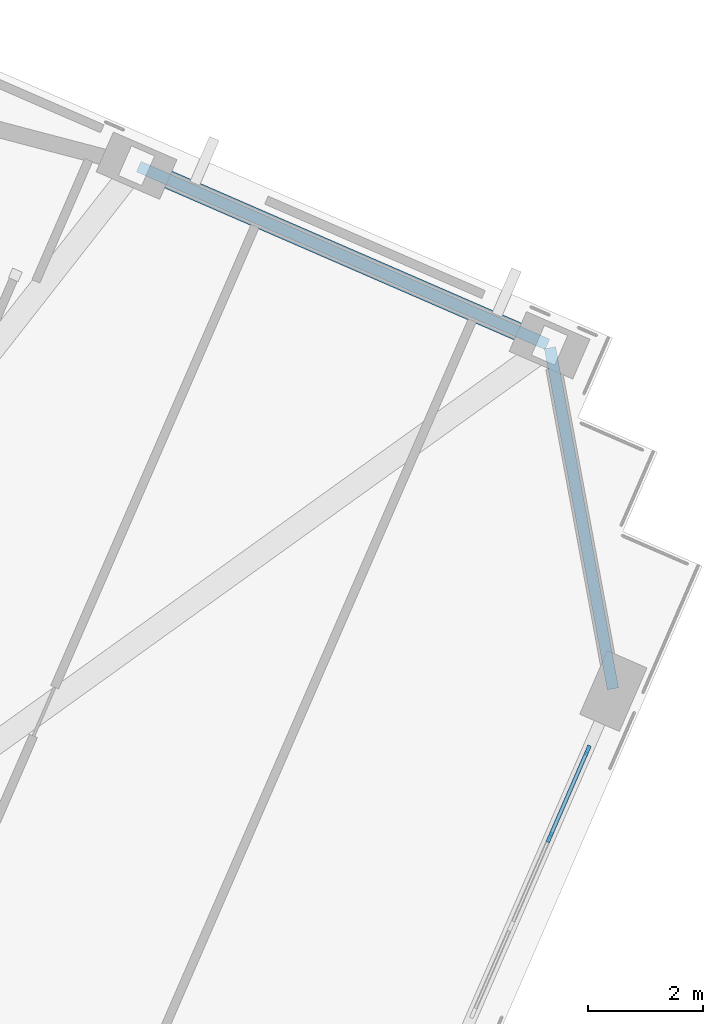
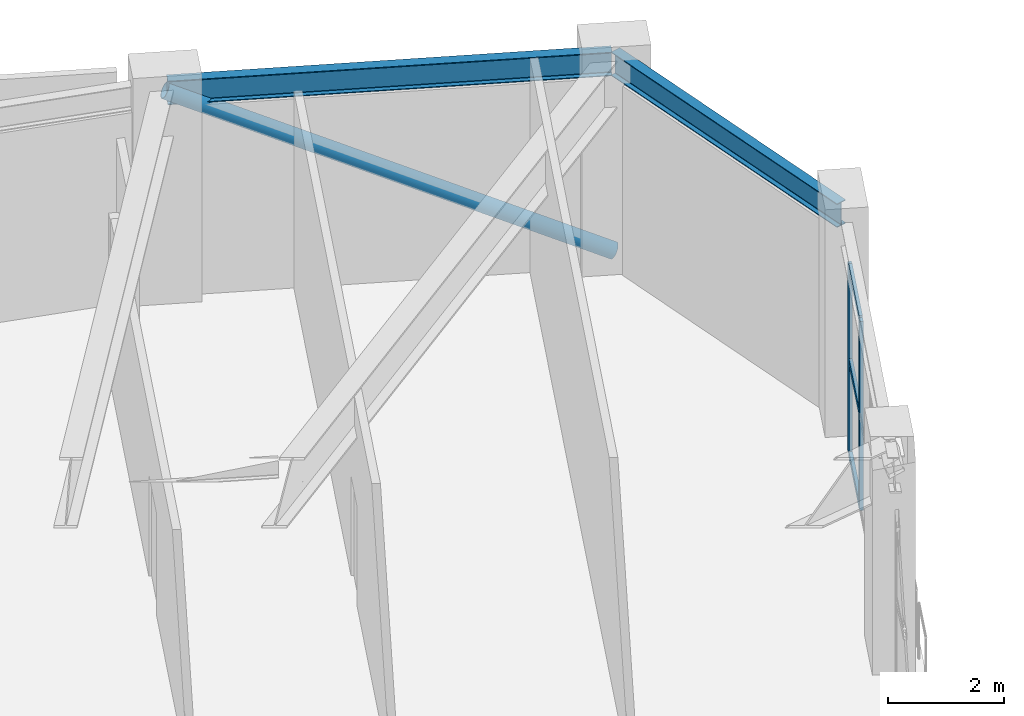
# One storey, part 7 of 16: 6 members, 2 beams, 1 element without a shape of its own.
"""IFC4 building model written with IfcOpenShell, lengths in metres."""

from ifc_helpers import new_model, si_unit, direction, frame, origin, origin_2d, place, context, subcontext, project, spatial, rectangle, hollow_circle, i_section, extrude, material, material_profile, profile_set, type_object, element, aggregate, save


model = new_model("IFC4")

# Units and contexts
model_context = context("Model", 3, precision=1e-05, world=origin(), true_north=direction((0.0, 1.0)))
body_context = subcontext(model_context, "Body", "Model", "MODEL_VIEW")
ifc_project = project(units=[si_unit("LENGTHUNIT", "METRE"), si_unit("AREAUNIT", "SQUARE_METRE"), si_unit("VOLUMEUNIT", "CUBIC_METRE"), si_unit("PLANEANGLEUNIT", "RADIAN"), si_unit("MASSUNIT", "GRAM", prefix="KILO")], contexts=[model_context])

# Site, building, storey
site_placement = place(None, origin())
site = spatial("IfcSite", under=ifc_project, at=site_placement, CompositionType="ELEMENT")
building_placement = place(site_placement, origin())
building = spatial("IfcBuilding", under=site, at=building_placement, Name="Gaonmaruhae Medical Tower", CompositionType="ELEMENT")
storey_placement = place(building_placement, frame((0.0, 0.0, 333.39990234375)))
storey = spatial("IfcBuildingStorey", under=building, at=storey_placement, Name="L80", CompositionType="ELEMENT", Elevation=333.39990234375)

# Curtain wall, members
ifc_material_1 = material(Name="Anodised aluminium and Low-E double glazing", Category="aluminium")
curtain_wall_type = type_object("IfcCurtainWallType", Name="CW-S5 Observation Crown Panorama Curtain Wall", PredefinedType="NOTDEFINED", material=ifc_material_1)
curtain_wall_placement = place(storey_placement, origin())
curtain_wall = element("IfcCurtainWall", 1, at=curtain_wall_placement, inside=storey, type_object=curtain_wall_type, Name="L80 Curtain Wall CW-L80-S05", PredefinedType="NOTDEFINED")
ifc_material_2 = material(Name="Anodised aluminium 6063-T6", Category="aluminium")
ifc_material_profile_1 = material_profile(ifc_material_2, rectangle(XDim=0.06494140625, YDim=0.179931640625, at=origin_2d()), Name="CWM-65x180")
ifc_profile_set_1 = profile_set([ifc_material_profile_1], Name="Anodised aluminium 6063-T6")
member_type_1 = type_object("IfcMemberType", Name="CWM-2 Tower Feature Curtain Wall Mullion (CWM-65x180)", PredefinedType="MULLION", material=ifc_profile_set_1)
member_1_placement = place(storey_placement, frame((58.183349609375, 25.53857421875, 0.0), z_axis=(0.0, 0.0, 1.0), x_axis=(0.917060248038, -0.398748669551, 0.0)))
member_1 = element("IfcMember", 2, at=member_1_placement, type_object=member_type_1, Name="CW-S5 mullion 1", PredefinedType="MULLION", context=body_context, shape_type="SweptSolid", body=[
    extrude(rectangle(XDim=0.06494140625, YDim=0.179931640625, at=origin_2d()), origin(), (0.0, 0.0, 1.0), 3.985107421875),
])
member_2_placement = place(storey_placement, frame((57.528564453125, 24.0322265625, 0.0), z_axis=(0.0, 0.0, 1.0), x_axis=(0.917060248038, -0.398748669551, 0.0)))
member_2 = element("IfcMember", 3, at=member_2_placement, type_object=member_type_1, Name="CW-S5 mullion 2", PredefinedType="MULLION", context=body_context, shape_type="SweptSolid", body=[
    extrude(rectangle(XDim=0.06494140625, YDim=0.179931640625, at=origin_2d()), origin(), (0.0, 0.0, 1.0), 3.985107421875),
])
ifc_material_profile_2 = material_profile(ifc_material_2, rectangle(XDim=0.06494140625, YDim=0.139892578125, at=origin_2d()), Name="CWT-65x140")
ifc_profile_set_2 = profile_set([ifc_material_profile_2], Name="Anodised aluminium 6063-T6")
member_type_2 = type_object("IfcMemberType", Name="CWT-2 Tower Feature Curtain Wall Transom (CWT-65x140)", PredefinedType="USERDEFINED", material=ifc_profile_set_2)
member_3_placement = place(storey_placement, frame((58.17041015625, 25.5087890625, 0.03271484375), z_axis=(-0.398714791977, -0.917074977665, 0.0), x_axis=(0.917074977665, -0.398714791977, 0.0)))
member_3 = element("IfcMember", 4, at=member_3_placement, type_object=member_type_2, Name="CW-S5 transom 1.1", ObjectType="TRANSOM", PredefinedType="USERDEFINED", context=body_context, shape_type="SweptSolid", body=[
    extrude(rectangle(XDim=0.06494140625, YDim=0.139892578125, at=origin_2d()), origin(), (0.0, 0.0, 1.0), 1.577392578125),
])
member_4_placement = place(storey_placement, frame((58.17041015625, 25.5087890625, 1.99267578125), z_axis=(-0.398714791977, -0.917074977665, 0.0), x_axis=(0.917074977665, -0.398714791977, 0.0)))
member_4 = element("IfcMember", 5, at=member_4_placement, type_object=member_type_2, Name="CW-S5 transom 1.2", ObjectType="TRANSOM", PredefinedType="USERDEFINED", context=body_context, shape_type="SweptSolid", body=[
    extrude(rectangle(XDim=0.06494140625, YDim=0.139892578125, at=origin_2d()), origin(), (0.0, 0.0, 1.0), 1.577392578125),
])
member_5_placement = place(storey_placement, frame((58.17041015625, 25.5087890625, 3.95263671875), z_axis=(-0.398714791977, -0.917074977665, 0.0), x_axis=(0.917074977665, -0.398714791977, 0.0)))
member_5 = element("IfcMember", 6, at=member_5_placement, type_object=member_type_2, Name="CW-S5 transom 1.3", ObjectType="TRANSOM", PredefinedType="USERDEFINED", context=body_context, shape_type="SweptSolid", body=[
    extrude(rectangle(XDim=0.06494140625, YDim=0.139892578125, at=origin_2d()), origin(), (0.0, 0.0, 1.0), 1.577392578125),
])
aggregate(curtain_wall, [member_1, member_2, member_3, member_4, member_5])

# Member
ifc_material_3 = material(Name="Steel SM355", Category="steel")
ifc_material_profile_3 = material_profile(ifc_material_3, hollow_circle(Radius=0.1591796875, WallThickness=0.01025390625, at=origin_2d()), Name="CHS-318.5x10.3")
ifc_profile_set_3 = profile_set([ifc_material_profile_3], Name="Steel SM355")
member_type_3 = type_object("IfcMemberType", Name="PB-03 Perimeter Solid-Bay Tube Brace Upper (CHS-318.5x10.3)", PredefinedType="BRACE", material=ifc_profile_set_3)
member_6_placement = place(storey_placement, frame((57.525634765625, 32.552734375, 0.25), z_axis=(-0.816011521604, 0.354808204441, 0.456329195507), x_axis=(-0.398745568807, -0.917061596272, 0.0)))
element("IfcMember", 7, at=member_6_placement, inside=storey, type_object=member_type_3, Name="L80 Perimeter Tube Solid-Bay Brace E01-E02", PredefinedType="BRACE", context=body_context, shape_type="SweptSolid", body=[
    extrude(hollow_circle(Radius=0.1591796875, WallThickness=0.01025390625, at=origin_2d()), origin(), (0.0, 0.0, 1.0), 8.765625),
])

# Beams
ifc_material_profile_4 = material_profile(ifc_material_3, i_section(OverallWidth=0.199951171875, OverallDepth=0.5, WebThickness=0.010009765625, FlangeThickness=0.01611328125, FilletRadius=0.012939453125, at=origin_2d()), Name="H-500x200x10x16")
ifc_profile_set_4 = profile_set([ifc_material_profile_4], Name="Steel SM355")
beam_type = type_object("IfcBeamType", Name="SP-02 Upper Perimeter Spandrel Beam (H-500x200x10x16)", PredefinedType="SPANDREL", material=ifc_profile_set_4)
beam_1_placement = place(storey_placement, frame((58.622802734375, 26.60498046875, 4.25), z_axis=(-0.181402379506, 0.983408957001, 0.0), x_axis=(-0.983408957001, -0.181402379506, 0.0)))
element("IfcBeam", 8, at=beam_1_placement, inside=storey, type_object=beam_type, Name="L80 Perimeter Spandrel Beam S06-E01", PredefinedType="SPANDREL", context=body_context, shape_type="SweptSolid", body=[
    extrude(i_section(OverallWidth=0.199951171875, OverallDepth=0.5, WebThickness=0.010009765625, FlangeThickness=0.01611328125, FilletRadius=0.012939453125, at=origin_2d()), origin(), (0.0, 0.0, 1.0), 6.0078125),
])
beam_2_placement = place(storey_placement, frame((57.489013671875, 32.568603515625, 4.25), z_axis=(-0.91705648068, 0.398757333778, 0.0), x_axis=(-0.398757333778, -0.91705648068, 0.0)))
element("IfcBeam", 9, at=beam_2_placement, inside=storey, type_object=beam_type, Name="L80 Perimeter Spandrel Beam E01-E02", PredefinedType="SPANDREL", context=body_context, shape_type="SweptSolid", body=[
    extrude(i_section(OverallWidth=0.199951171875, OverallDepth=0.5, WebThickness=0.010009765625, FlangeThickness=0.01611328125, FilletRadius=0.012939453125, at=origin_2d()), origin(), (0.0, 0.0, 1.0), 7.719970703125),
])

save(model, "model.ifc")
